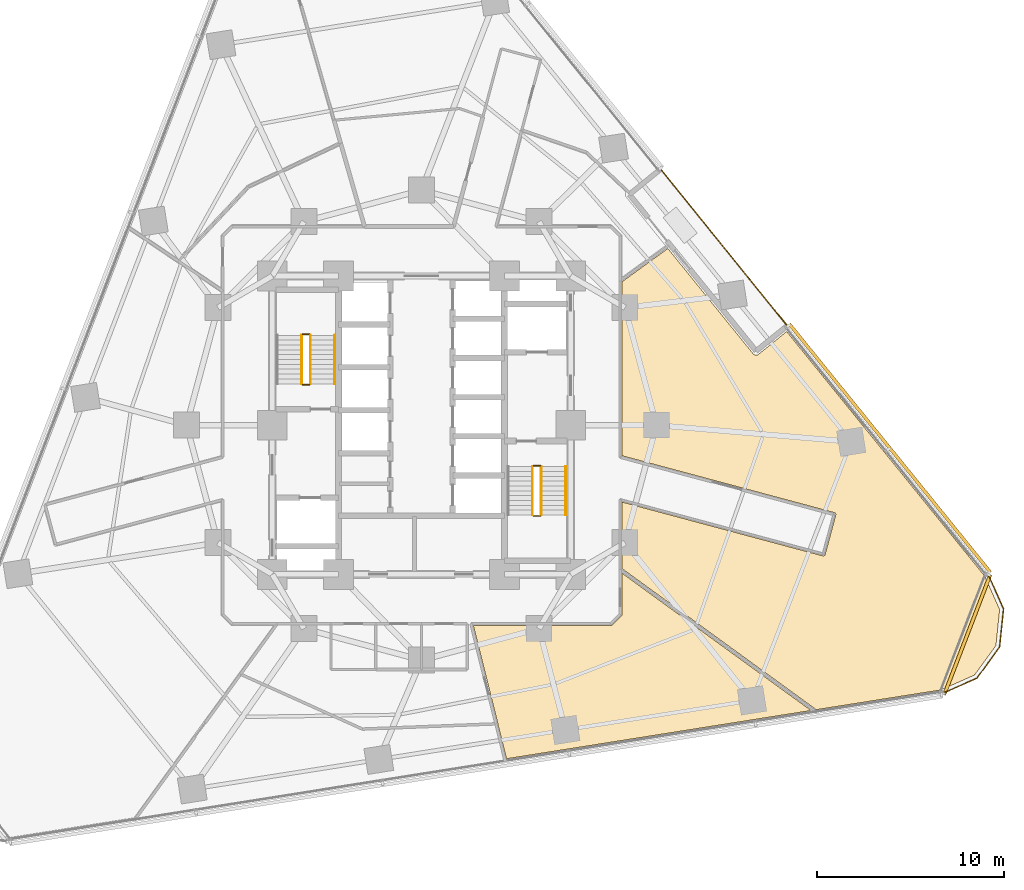
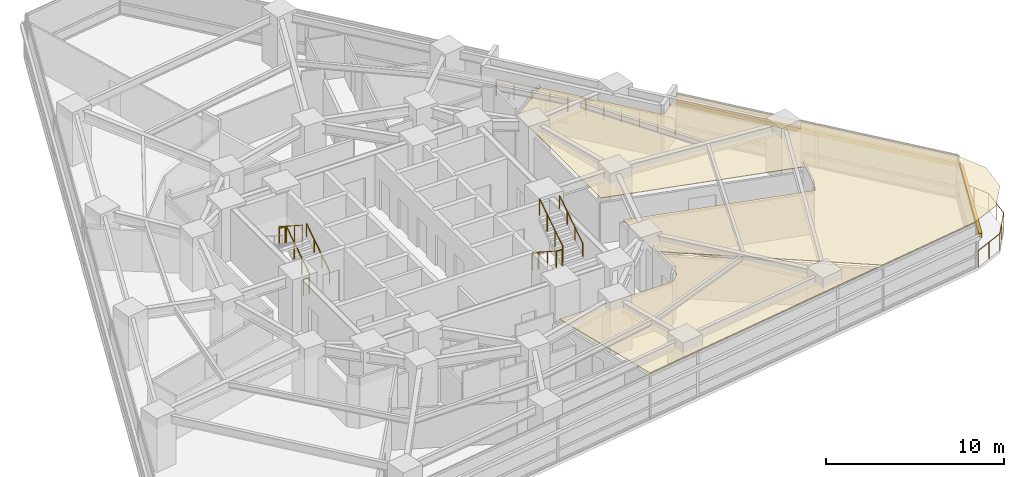
# One storey, part 13 of 14: 12 railings, 2 coverings, 2 shading devices.
"""IFC4 building model written with IfcOpenShell, lengths in metres."""

from ifc_helpers import new_model, si_unit, direction, frame, origin, origin_2d, place, context, subcontext, project, spatial, polyline, rectangle, circle, outline, extrude, material, layer, layer_set, type_object, element, save


model = new_model("IFC4")

# Units and contexts
model_context = context("Model", 3, precision=1e-05, world=origin(), true_north=direction((0.0, 1.0)))
body_context = subcontext(model_context, "Body", "Model", "MODEL_VIEW")
ifc_project = project(units=[si_unit("LENGTHUNIT", "METRE"), si_unit("AREAUNIT", "SQUARE_METRE"), si_unit("VOLUMEUNIT", "CUBIC_METRE"), si_unit("PLANEANGLEUNIT", "RADIAN"), si_unit("MASSUNIT", "GRAM", prefix="KILO")], contexts=[model_context])

# Site, building, storey
site_placement = place(None, origin())
site = spatial("IfcSite", under=ifc_project, at=site_placement, CompositionType="ELEMENT")
building_placement = place(site_placement, origin())
building = spatial("IfcBuilding", under=site, at=building_placement, Name="Terralouvre Media Tower", CompositionType="ELEMENT")
storey_placement = place(building_placement, frame((0.0, 0.0, 63.0)))
storey = spatial("IfcBuildingStorey", under=building, at=storey_placement, Name="L15", CompositionType="ELEMENT", Elevation=63.0)

# Coverings
ifc_material_1 = material(Name="Perforated aluminium acoustic ceiling baffle", Category="aluminium")
ifc_layer_1 = layer(ifc_material_1, 0.0400390625, Name="Perforated Acoustic Metal Tile Ceiling CL-AC1")
ifc_layer_set_1 = layer_set([ifc_layer_1], Name="Perforated aluminium acoustic ceiling baffle")
covering_type = type_object("IfcCoveringType", Name="Perforated Acoustic Metal Tile Ceiling CL-AC1", PredefinedType="CEILING", material=ifc_layer_set_1)
covering_1_placement = place(storey_placement, frame((0.0, 0.0, 2.97998046875), z_axis=(0.0, 0.0, 1.0), x_axis=(0.987688340595, 0.15643446504, 0.0)))
element("IfcCovering", 1, at=covering_1_placement, inside=storey, type_object=covering_type, Name="L15 Design Critique Boardroom 1 Acoustic Ceiling", PredefinedType="CEILING", context=body_context, shape_type="SweptSolid", body=[
    extrude(outline(polyline([(20.125732421875, 1.8974609375), (18.455078125, 0.932861328125), (18.44873046875, 0.929443359375), (18.43798828125, 0.924072265625), (18.431396484375, 0.92138671875), (18.420654296875, 0.9169921875), (18.413330078125, 0.914306640625), (18.40283203125, 0.910888671875), (18.388916015625, 0.90771484375), (18.37646484375, 0.905517578125), (18.37109375, 0.90478515625), (18.359619140625, 0.903564453125), (18.349609375, 0.903076171875), (18.33740234375, 0.90283203125), (18.3291015625, 0.903076171875), (18.321044921875, 0.904052734375), (18.29833984375, 0.90771484375), (18.290283203125, 0.9091796875), (18.2822265625, 0.91162109375), (18.270751953125, 0.91552734375), (18.26123046875, 0.919189453125), (18.2509765625, 0.923828125), (18.243408203125, 0.927490234375), (18.233154296875, 0.93310546875), (18.2265625, 0.937255859375), (18.216552734375, 0.94384765625), (18.20751953125, 0.95068359375), (18.198486328125, 0.958251953125), (18.191650390625, 0.96435546875), (18.185546875, 0.971435546875), (18.179931640625, 0.978271484375), (18.17431640625, 0.984130859375), (18.168212890625, 0.990966796875), (18.1630859375, 0.99853515625), (18.15673828125, 1.0087890625), (18.154296875, 1.0126953125), (14.529541015625, 7.291259765625), (11.820068359375, 5.91064453125), (10.361328125, -3.2998046875), (21.134521484375, -8.09619140625), (21.143310546875, -8.1005859375), (21.151611328125, -8.10595703125), (21.159423828125, -8.112060546875), (21.16650390625, -8.118896484375), (21.1728515625, -8.126220703125), (21.178466796875, -8.13427734375), (21.183349609375, -8.142822265625), (21.187255859375, -8.15185546875), (21.1904296875, -8.1611328125), (21.1923828125, -8.170654296875), (21.193603515625, -8.180419921875), (21.19384765625, -8.190185546875), (21.193115234375, -8.199951171875), (21.19140625, -8.209716796875), (21.188720703125, -8.21923828125), (21.185302734375, -8.228271484375), (20.289794921875, -10.238037109375), (20.285400390625, -10.24658203125), (20.280029296875, -10.255126953125), (20.274169921875, -10.2626953125), (20.267333984375, -10.269775390625), (20.259765625, -10.2763671875), (20.251708984375, -10.281982421875), (20.2431640625, -10.28662109375), (20.234375, -10.29052734375), (20.22509765625, -10.293701171875), (20.21533203125, -10.2958984375), (20.20556640625, -10.297119140625), (20.19580078125, -10.297119140625), (20.18603515625, -10.29638671875), (20.176513671875, -10.294921875), (20.1669921875, -10.292236328125), (20.15771484375, -10.28857421875), (9.972900390625, -5.753173828125), (9.4150390625, -9.27392578125), (18.520263671875, -18.378173828125), (25.290771484375, -18.37890625), (27.196533203125, -17.8681640625), (28.56982421875, -16.494384765625), (29.072021484375, -14.617919921875), (28.561767578125, -12.71337890625), (20.125732421875, 1.8974609375)])), origin(), (0.0, 0.0, 1.0), 0.0400390625),
])
covering_2_placement = place(storey_placement, frame((0.0, 0.0, 2.97998046875), z_axis=(0.0, 0.0, 1.0), x_axis=(0.987688340595, 0.15643446504, 0.0)))
element("IfcCovering", 2, at=covering_2_placement, inside=storey, type_object=covering_type, Name="L15 Analytics Team Office 8 Acoustic Ceiling", PredefinedType="CEILING", context=body_context, shape_type="SweptSolid", body=[
    extrude(outline(polyline([(9.02978515625, -11.706787109375), (9.02783203125, -11.71630859375), (9.02490234375, -11.7255859375), (9.02099609375, -11.734619140625), (9.016357421875, -11.743408203125), (9.0107421875, -11.75146484375), (9.00439453125, -11.759033203125), (8.99755859375, -11.765869140625), (8.98974609375, -11.77197265625), (8.417724609375, -12.1875), (8.409423828125, -12.19287109375), (8.40087890625, -12.197509765625), (8.391845703125, -12.201171875), (8.38232421875, -12.203857421875), (8.372802734375, -12.205810546875), (8.363037109375, -12.20654296875), (8.35302734375, -12.20654296875), (8.34326171875, -12.20556640625), (1.067138671875, -11.052978515625), (1.538330078125, -16.432861328125), (1.7080078125, -18.37841796875), (18.237548828125, -18.378173828125), (9.37646484375, -9.51806640625), (9.02978515625, -11.706787109375)])), origin(), (0.0, 0.0, 1.0), 0.0400390625),
])

# Railings
ifc_material_2 = material(Name="Stainless steel 316 handrail and balustrade", Category="steel")
ifc_layer_2 = layer(ifc_material_2, 0.06005859375, Name="Roof Edge Safety Guardrail GR-ROOF1")
ifc_layer_set_2 = layer_set([ifc_layer_2], Name="Stainless steel 316 handrail and balustrade")
railing_type_1 = type_object("IfcRailingType", Name="Roof Edge Safety Guardrail GR-ROOF1", PredefinedType="GUARDRAIL", material=ifc_layer_set_2)
railing_1_placement = place(storey_placement, frame((19.6142578125, 5.331787109375, 0.0)))
element("IfcRailing", 3, at=railing_1_placement, inside=storey, type_object=railing_type_1, Name="L15 SG Outer Edge Glass Balustrade", PredefinedType="GUARDRAIL", context=body_context, shape_type="SweptSolid", body=[
    extrude(circle(Radius=0.02392578125, at=origin_2d()), frame((0.0, 0.0, 1.1259765625), z_axis=(-0.629312673468, 0.777152210968, 0.0), x_axis=(-0.777152210968, -0.629312673468, 0.0)), (0.0, 0.0, 1.0), 10.800048828125),
    extrude(circle(Radius=0.02099609375, at=origin_2d()), origin(), (0.0, 0.0, 1.0), 1.101806640625),
    extrude(circle(Radius=0.02099609375, at=origin_2d()), frame((-0.6796875, 0.83935546875, 0.0)), (0.0, 0.0, 1.0), 1.101806640625),
    extrude(circle(Radius=0.02099609375, at=origin_2d()), frame((-1.359375, 1.6787109375, 0.0)), (0.0, 0.0, 1.0), 1.101806640625),
    extrude(circle(Radius=0.02099609375, at=origin_2d()), frame((-2.0390625, 2.51806640625, 0.0)), (0.0, 0.0, 1.0), 1.101806640625),
    extrude(circle(Radius=0.02099609375, at=origin_2d()), frame((-2.71875, 3.357421875, 0.0)), (0.0, 0.0, 1.0), 1.101806640625),
    extrude(circle(Radius=0.02099609375, at=origin_2d()), frame((-3.3984375, 4.19677734375, 0.0)), (0.0, 0.0, 1.0), 1.101806640625),
    extrude(circle(Radius=0.02099609375, at=origin_2d()), frame((-4.077880859375, 5.035888671875, 0.0)), (0.0, 0.0, 1.0), 1.101806640625),
    extrude(circle(Radius=0.02099609375, at=origin_2d()), frame((-4.757568359375, 5.875244140625, 0.0)), (0.0, 0.0, 1.0), 1.101806640625),
    extrude(circle(Radius=0.02099609375, at=origin_2d()), frame((-5.437255859375, 6.714599609375, 0.0)), (0.0, 0.0, 1.0), 1.101806640625),
    extrude(circle(Radius=0.02099609375, at=origin_2d()), frame((-6.116943359375, 7.553955078125, 0.0)), (0.0, 0.0, 1.0), 1.101806640625),
    extrude(circle(Radius=0.02099609375, at=origin_2d()), frame((-6.796630859375, 8.393310546875, 0.0)), (0.0, 0.0, 1.0), 1.101806640625),
])
railing_2_placement = place(storey_placement, frame((27.904296875, -14.401611328125, 0.0)))
element("IfcRailing", 4, at=railing_2_placement, inside=storey, type_object=railing_type_1, Name="L15 Wind-Corner Perimeter Safety Guardrail C1", PredefinedType="GUARDRAIL", context=body_context, shape_type="SweptSolid", body=[
    extrude(circle(Radius=0.02099609375, at=origin_2d()), frame((0.0, 0.0, 1.12890625), z_axis=(0.91366973946, 0.40645738669, 0.0), x_axis=(-0.40645738669, 0.91366973946, 0.0)), (0.0, 0.0, 1.0), 2.0595703125),
    extrude(circle(Radius=0.02099609375, at=origin_2d()), frame((1.8818359375, 0.837158203125, 1.12890625), z_axis=(0.587868563624, 0.808956458595, 0.0), x_axis=(-0.808956458595, 0.587868563624, 0.0)), (0.0, 0.0, 1.0), 2.0595703125),
    extrude(circle(Radius=0.02099609375, at=origin_2d()), frame((3.092529296875, 2.503173828125, 1.12890625), z_axis=(0.104456420886, 0.99452946469, 0.0), x_axis=(-0.99452946469, 0.104456420886, 0.0)), (0.0, 0.0, 1.0), 2.05908203125),
    extrude(circle(Radius=0.02099609375, at=origin_2d()), frame((3.3076171875, 4.551025390625, 1.12890625), z_axis=(-0.406996026336, 0.913429928646, 0.0), x_axis=(-0.913429928646, -0.406996026336, 0.0)), (0.0, 0.0, 1.0), 2.059814453125),
    extrude(circle(Radius=0.01904296875, at=origin_2d()), origin(), (0.0, 0.0, 1.0), 1.10791015625),
    extrude(circle(Radius=0.01904296875, at=origin_2d()), frame((0.94091796875, 0.41845703125, 0.0)), (0.0, 0.0, 1.0), 1.10791015625),
    extrude(circle(Radius=0.01904296875, at=origin_2d()), frame((1.8818359375, 0.837158203125, 0.0)), (0.0, 0.0, 1.0), 1.10791015625),
    extrude(circle(Radius=0.01904296875, at=origin_2d()), frame((2.4873046875, 1.670166015625, 0.0)), (0.0, 0.0, 1.0), 1.10791015625),
    extrude(circle(Radius=0.01904296875, at=origin_2d()), frame((3.092529296875, 2.503173828125, 0.0)), (0.0, 0.0, 1.0), 1.10791015625),
    extrude(circle(Radius=0.01904296875, at=origin_2d()), frame((3.2001953125, 3.527099609375, 0.0)), (0.0, 0.0, 1.0), 1.10791015625),
    extrude(circle(Radius=0.01904296875, at=origin_2d()), frame((3.3076171875, 4.551025390625, 0.0)), (0.0, 0.0, 1.0), 1.10791015625),
    extrude(circle(Radius=0.01904296875, at=origin_2d()), frame((2.888427734375, 5.49169921875, 0.0)), (0.0, 0.0, 1.0), 1.10791015625),
    extrude(circle(Radius=0.01904296875, at=origin_2d()), frame((2.46923828125, 6.4326171875, 0.0)), (0.0, 0.0, 1.0), 1.10791015625),
])
ifc_material_3 = material(Name="Stainless steel 316 handrail and balustrade", Category="steel")
ifc_layer_3 = layer(ifc_material_3, 0.050048828125, Name="Stair Flight Wall Handrail HR-INT1")
ifc_layer_set_3 = layer_set([ifc_layer_3], Name="Stainless steel 316 handrail and balustrade")
railing_type_2 = type_object("IfcRailingType", Name="Stair Flight Wall Handrail HR-INT1", PredefinedType="HANDRAIL", material=ifc_layer_set_3)
for number, where, name in (
    (5, (-4.64990234375, 2.219970703125, 0.168212890625), "L15 ST-01 stair handrail 1"),
    (6, (7.72998046875, -4.820068359375, 2.01806640625), "L15 ST-02 stair handrail 2"),
):
    element("IfcRailing", number, at=place(storey_placement, frame(where)), inside=storey, type_object=railing_type_2, Name=name, PredefinedType="HANDRAIL", context=body_context, shape_type="SweptSolid", body=[
        extrude(circle(Radius=0.02392578125, at=origin_2d()), frame((0.0, 0.0, 0.8759765625), z_axis=(0.0, 0.839648411786, 0.543130320075), x_axis=(-1.0, 0.0, 0.0)), (0.0, 0.0, 1.0), 3.0966796875),
        extrude(circle(Radius=0.02099609375, at=origin_2d()), origin(), (0.0, 0.0, 1.0), 0.851806640625),
        extrude(circle(Radius=0.02099609375, at=origin_2d()), frame((0.0, 0.86669921875, 0.560546875)), (0.0, 0.0, 1.0), 0.851806640625),
        extrude(circle(Radius=0.02099609375, at=origin_2d()), frame((0.0, 1.7333984375, 1.121337890625)), (0.0, 0.0, 1.0), 0.851806640625),
        extrude(circle(Radius=0.02099609375, at=origin_2d()), frame((0.0, 2.60009765625, 1.681884765625)), (0.0, 0.0, 1.0), 0.851806640625),
    ])
ifc_material_4 = material(Name="Stainless steel 316 handrail and balustrade", Category="steel")
ifc_layer_4 = layer(ifc_material_4, 0.050048828125, Name="Stairwell Safety Guardrail GR-INT1")
ifc_layer_set_4 = layer_set([ifc_layer_4], Name="Stainless steel 316 handrail and balustrade")
railing_type_3 = type_object("IfcRailingType", Name="Stairwell Safety Guardrail GR-INT1", PredefinedType="GUARDRAIL", material=ifc_layer_set_4)
railing_3_placement = place(storey_placement, frame((-5.949951171875, 2.219970703125, 0.168212890625)))
element("IfcRailing", 7, at=railing_3_placement, inside=storey, type_object=railing_type_3, Name="L15 ST-01 stair guard 1", PredefinedType="GUARDRAIL", context=body_context, shape_type="SweptSolid", body=[
    extrude(circle(Radius=0.02392578125, at=origin_2d()), frame((0.0, 0.0, 1.1259765625), z_axis=(0.0, 0.839648411786, 0.543130320075), x_axis=(-1.0, 0.0, 0.0)), (0.0, 0.0, 1.0), 3.0966796875),
    extrude(circle(Radius=0.02099609375, at=origin_2d()), origin(), (0.0, 0.0, 1.0), 1.101806640625),
    extrude(circle(Radius=0.02099609375, at=origin_2d()), frame((0.0, 0.86669921875, 0.560546875)), (0.0, 0.0, 1.0), 1.101806640625),
    extrude(circle(Radius=0.02099609375, at=origin_2d()), frame((0.0, 1.7333984375, 1.121337890625)), (0.0, 0.0, 1.0), 1.101806640625),
    extrude(circle(Radius=0.02099609375, at=origin_2d()), frame((0.0, 2.60009765625, 1.681884765625)), (0.0, 0.0, 1.0), 1.101806640625),
])
railing_4_placement = place(storey_placement, frame((-6.0, 4.8701171875, 1.85009765625)))
element("IfcRailing", 8, at=railing_4_placement, inside=storey, type_object=railing_type_3, Name="L15 ST-01 stair guard 2", PredefinedType="GUARDRAIL", context=body_context, shape_type="SweptSolid", body=[
    extrude(circle(Radius=0.02392578125, at=origin_2d()), frame((0.0, 0.0, 1.1259765625), z_axis=(-1.0, 0.0, 0.0), x_axis=(0.0, -1.0, 0.0)), (0.0, 0.0, 1.0), 0.3798828125),
    extrude(circle(Radius=0.02099609375, at=origin_2d()), origin(), (0.0, 0.0, 1.0), 1.101806640625),
    extrude(circle(Radius=0.02099609375, at=origin_2d()), frame((-0.3798828125, 0.0, 0.0)), (0.0, 0.0, 1.0), 1.101806640625),
])
railing_5_placement = place(storey_placement, frame((-6.429931640625, 4.820068359375, 2.01806640625)))
element("IfcRailing", 9, at=railing_5_placement, inside=storey, type_object=railing_type_3, Name="L15 ST-01 stair guard 3", PredefinedType="GUARDRAIL", context=body_context, shape_type="SweptSolid", body=[
    extrude(circle(Radius=0.02392578125, at=origin_2d()), frame((0.0, 0.0, 1.1259765625), z_axis=(0.0, -0.839648411786, 0.543130320075), x_axis=(1.0, 0.0, 0.0)), (0.0, 0.0, 1.0), 3.0966796875),
    extrude(circle(Radius=0.02099609375, at=origin_2d()), origin(), (0.0, 0.0, 1.0), 1.101806640625),
    extrude(circle(Radius=0.02099609375, at=origin_2d()), frame((0.0, -0.86669921875, 0.560546875)), (0.0, 0.0, 1.0), 1.101806640625),
    extrude(circle(Radius=0.02099609375, at=origin_2d()), frame((0.0, -1.7333984375, 1.121337890625)), (0.0, 0.0, 1.0), 1.101806640625),
    extrude(circle(Radius=0.02099609375, at=origin_2d()), frame((0.0, -2.60009765625, 1.681884765625)), (0.0, 0.0, 1.0), 1.101806640625),
])
railing_6_placement = place(storey_placement, frame((-6.0, 2.169921875, 0.0)))
element("IfcRailing", 10, at=railing_6_placement, inside=storey, type_object=railing_type_3, Name="L15 ST-01 stair guard 4", PredefinedType="GUARDRAIL", context=body_context, shape_type="SweptSolid", body=[
    extrude(circle(Radius=0.02392578125, at=origin_2d()), frame((0.0, 0.0, 1.1259765625), z_axis=(-1.0, 0.0, 0.0), x_axis=(0.0, -1.0, 0.0)), (0.0, 0.0, 1.0), 0.3798828125),
    extrude(circle(Radius=0.02099609375, at=origin_2d()), origin(), (0.0, 0.0, 1.0), 1.101806640625),
    extrude(circle(Radius=0.02099609375, at=origin_2d()), frame((-0.3798828125, 0.0, 0.0)), (0.0, 0.0, 1.0), 1.101806640625),
])
railing_7_placement = place(storey_placement, frame((5.949951171875, -2.219970703125, 0.168212890625)))
element("IfcRailing", 11, at=railing_7_placement, inside=storey, type_object=railing_type_3, Name="L15 ST-02 stair guard 1", PredefinedType="GUARDRAIL", context=body_context, shape_type="SweptSolid", body=[
    extrude(circle(Radius=0.02392578125, at=origin_2d()), frame((0.0, 0.0, 1.1259765625), z_axis=(0.0, -0.839648411786, 0.543130320075), x_axis=(1.0, 0.0, 0.0)), (0.0, 0.0, 1.0), 3.0966796875),
    extrude(circle(Radius=0.02099609375, at=origin_2d()), origin(), (0.0, 0.0, 1.0), 1.101806640625),
    extrude(circle(Radius=0.02099609375, at=origin_2d()), frame((0.0, -0.86669921875, 0.560546875)), (0.0, 0.0, 1.0), 1.101806640625),
    extrude(circle(Radius=0.02099609375, at=origin_2d()), frame((0.0, -1.7333984375, 1.121337890625)), (0.0, 0.0, 1.0), 1.101806640625),
    extrude(circle(Radius=0.02099609375, at=origin_2d()), frame((0.0, -2.60009765625, 1.681884765625)), (0.0, 0.0, 1.0), 1.101806640625),
])
railing_8_placement = place(storey_placement, frame((6.0, -4.8701171875, 1.85009765625)))
element("IfcRailing", 12, at=railing_8_placement, inside=storey, type_object=railing_type_3, Name="L15 ST-02 stair guard 2", PredefinedType="GUARDRAIL", context=body_context, shape_type="SweptSolid", body=[
    extrude(circle(Radius=0.02392578125, at=origin_2d()), frame((0.0, 0.0, 1.1259765625), z_axis=(1.0, 0.0, 0.0), x_axis=(0.0, 1.0, 0.0)), (0.0, 0.0, 1.0), 0.3798828125),
    extrude(circle(Radius=0.02099609375, at=origin_2d()), origin(), (0.0, 0.0, 1.0), 1.101806640625),
    extrude(circle(Radius=0.02099609375, at=origin_2d()), frame((0.3798828125, 0.0, 0.0)), (0.0, 0.0, 1.0), 1.101806640625),
])
railing_9_placement = place(storey_placement, frame((6.429931640625, -4.820068359375, 2.01806640625)))
element("IfcRailing", 13, at=railing_9_placement, inside=storey, type_object=railing_type_3, Name="L15 ST-02 stair guard 3", PredefinedType="GUARDRAIL", context=body_context, shape_type="SweptSolid", body=[
    extrude(circle(Radius=0.02392578125, at=origin_2d()), frame((0.0, 0.0, 1.1259765625), z_axis=(0.0, 0.839648411786, 0.543130320075), x_axis=(-1.0, 0.0, 0.0)), (0.0, 0.0, 1.0), 3.0966796875),
    extrude(circle(Radius=0.02099609375, at=origin_2d()), origin(), (0.0, 0.0, 1.0), 1.101806640625),
    extrude(circle(Radius=0.02099609375, at=origin_2d()), frame((0.0, 0.86669921875, 0.560546875)), (0.0, 0.0, 1.0), 1.101806640625),
    extrude(circle(Radius=0.02099609375, at=origin_2d()), frame((0.0, 1.7333984375, 1.121337890625)), (0.0, 0.0, 1.0), 1.101806640625),
    extrude(circle(Radius=0.02099609375, at=origin_2d()), frame((0.0, 2.60009765625, 1.681884765625)), (0.0, 0.0, 1.0), 1.101806640625),
])
railing_10_placement = place(storey_placement, frame((6.0, -2.169921875, 0.0)))
element("IfcRailing", 14, at=railing_10_placement, inside=storey, type_object=railing_type_3, Name="L15 ST-02 stair guard 4", PredefinedType="GUARDRAIL", context=body_context, shape_type="SweptSolid", body=[
    extrude(circle(Radius=0.02392578125, at=origin_2d()), frame((0.0, 0.0, 1.1259765625), z_axis=(1.0, 0.0, 0.0), x_axis=(0.0, 1.0, 0.0)), (0.0, 0.0, 1.0), 0.3798828125),
    extrude(circle(Radius=0.02099609375, at=origin_2d()), origin(), (0.0, 0.0, 1.0), 1.101806640625),
    extrude(circle(Radius=0.02099609375, at=origin_2d()), frame((0.3798828125, 0.0, 0.0)), (0.0, 0.0, 1.0), 1.101806640625),
])

# Shading devices
ifc_material_5 = material(Name="Extruded terracotta baguette sunshade louvres", Category="masonry")
shading_device_type = type_object("IfcShadingDeviceType", Name="Terracotta Baguette Sunshade Louvre Screen TB-LV1", PredefinedType="USERDEFINED", material=ifc_material_5)
shading_device_1_placement = place(storey_placement, frame((25.10986328125, -1.232421875, 2.02392578125), z_axis=(0.0, 0.0, 1.0), x_axis=(-0.62932017875, 0.777146133374, 0.0)))
element("IfcShadingDevice", 15, at=shading_device_1_placement, inside=storey, type_object=shading_device_type, Name="CW-L15-F1L Terracotta Baguette Sunshade Louvre", ObjectType="BAGUETTE", PredefinedType="USERDEFINED", context=body_context, shape_type="SweptSolid", body=[
    extrude(rectangle(XDim=17.1201171875, YDim=0.179931640625, at=origin_2d()), origin(), (0.0, 0.0, 1.0), 0.280029296875),
])
shading_device_2_placement = place(storey_placement, frame((29.264892578125, -11.23388671875, 2.02392578125), z_axis=(0.0, 0.0, 1.0), x_axis=(0.358367472863, 0.933580609478, 0.0)))
element("IfcShadingDevice", 16, at=shading_device_2_placement, inside=storey, type_object=shading_device_type, Name="CW-L15-C1 Terracotta Baguette Sunshade Louvre", ObjectType="BAGUETTE", PredefinedType="USERDEFINED", context=body_context, shape_type="SweptSolid", body=[
    extrude(rectangle(XDim=6.8935546875, YDim=0.179931640625, at=origin_2d()), origin(), (0.0, 0.0, 1.0), 0.280029296875),
])

save(model, "model.ifc")
